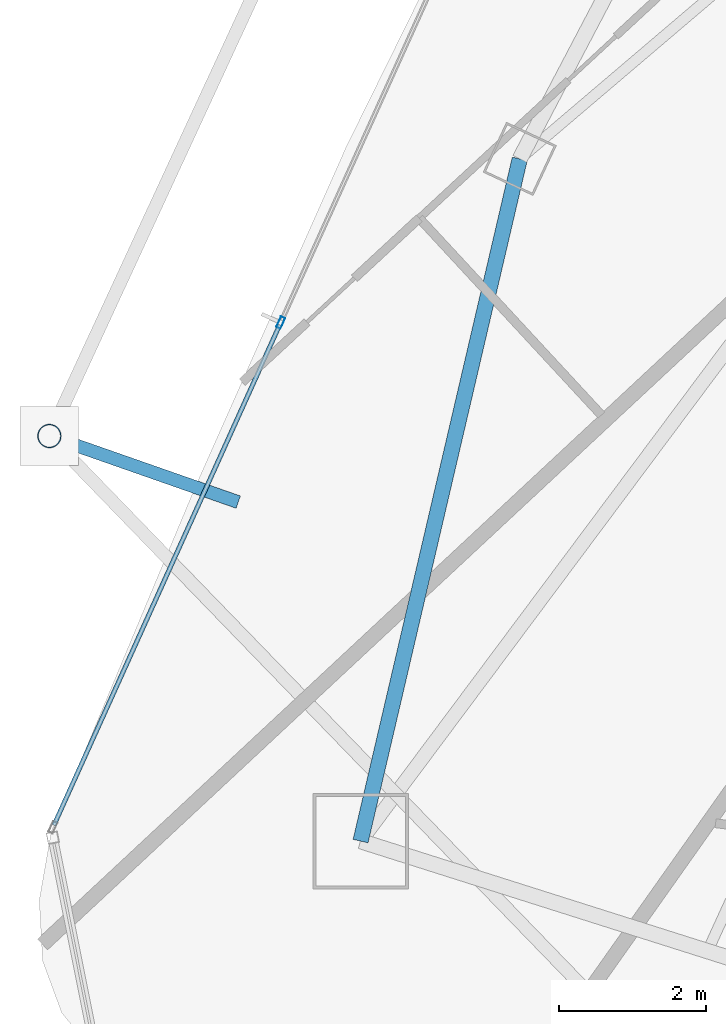
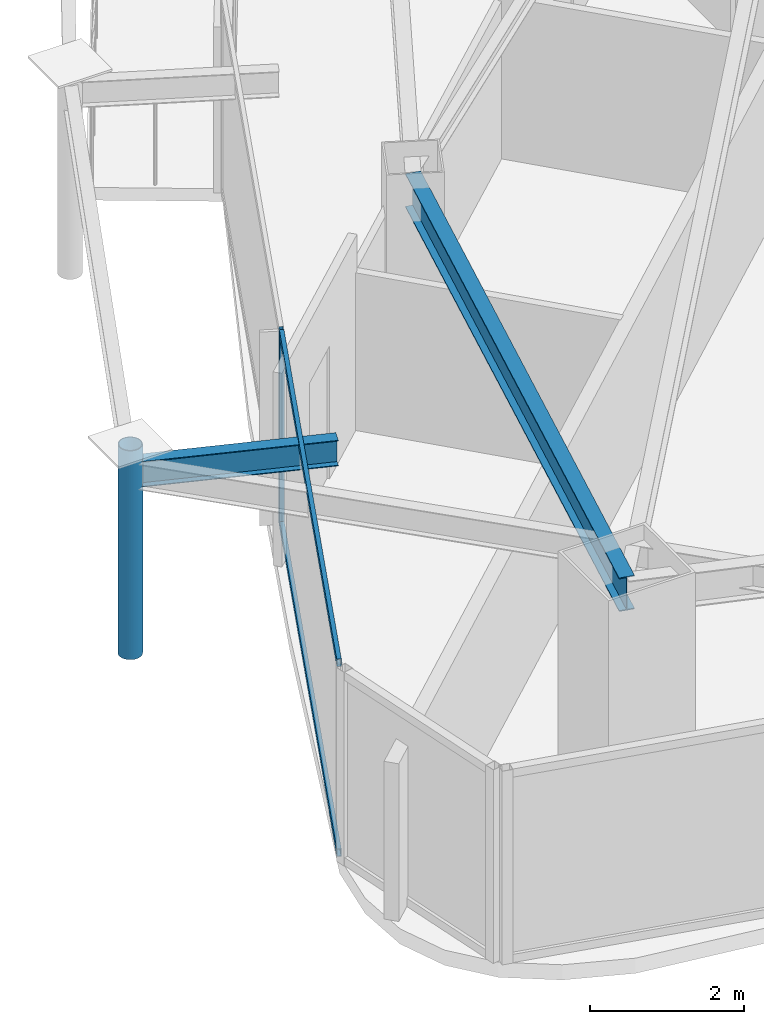
# One storey, part 5 of 32: 4 members, 2 beams, 1 element without a shape of its own.
"""IFC4 building model written with IfcOpenShell, lengths in metres."""

from ifc_helpers import new_model, si_unit, direction, frame, origin, origin_2d, place, context, subcontext, project, spatial, hollow_rectangle, hollow_circle, i_section, extrude, material, layer, layer_set, material_profile, profile_set, type_object, element, aggregate, save


model = new_model("IFC4")

# Units and contexts
model_context = context("Model", 3, precision=1e-05, world=origin(), true_north=direction((0.0, 1.0)))
body_context = subcontext(model_context, "Body", "Model", "MODEL_VIEW")
ifc_project = project(units=[si_unit("LENGTHUNIT", "METRE"), si_unit("AREAUNIT", "SQUARE_METRE"), si_unit("VOLUMEUNIT", "CUBIC_METRE"), si_unit("PLANEANGLEUNIT", "RADIAN"), si_unit("MASSUNIT", "GRAM", prefix="KILO")], contexts=[model_context])

# Site, building, storey
site_placement = place(None, origin())
site = spatial("IfcSite", under=ifc_project, at=site_placement, CompositionType="ELEMENT")
building_placement = place(site_placement, origin())
building = spatial("IfcBuilding", under=site, at=building_placement, Name="Orvanel Arch Residences", CompositionType="ELEMENT")
storey_placement = place(building_placement, frame((0.0, 0.0, 222.800048828125)))
storey = spatial("IfcBuildingStorey", under=building, at=storey_placement, Name="L63", CompositionType="ELEMENT", Elevation=222.800048828125)

# Curtain wall, member
ifc_material_1 = material(Name="Bronze-anodised aluminium AA6063-T6", Category="aluminium")
ifc_layer = layer(ifc_material_1, 0.175048828125)
ifc_layer_set = layer_set([ifc_layer], Name="Bronze-anodised aluminium AA6063-T6")
curtain_wall_type = type_object("IfcCurtainWallType", Name="CW4-HI-SYS", PredefinedType="NOTDEFINED", material=ifc_layer_set)
curtain_wall_placement = place(storey_placement, origin())
curtain_wall = element("IfcCurtainWall", 1, at=curtain_wall_placement, inside=storey, type_object=curtain_wall_type, Name="L63 CW4-HI-SYS Unitised Curtain Wall", PredefinedType="NOTDEFINED")
ifc_material_profile_1 = material_profile(ifc_material_1, hollow_rectangle(XDim=0.06494140625, YDim=0.159912109375, WallThickness=0.00390625, at=origin_2d()), Name="ALU160x65x4")
ifc_profile_set_1 = profile_set([ifc_material_profile_1], Name="Bronze-anodised aluminium AA6063-T6")
member_type_1 = type_object("IfcMemberType", Name="MUL-160x65", PredefinedType="MULLION", material=ifc_profile_set_1)
member_1_placement = place(storey_placement, frame((13.111572265625, 17.41259765625, 0.0), z_axis=(0.0, 0.0, 1.0), x_axis=(0.911480004164, -0.411344383709, 0.0)))
member_1 = element("IfcMember", 2, at=member_1_placement, type_object=member_type_1, Name="CW-S4 mullion 2", PredefinedType="MULLION", context=body_context, shape_type="SweptSolid", body=[
    extrude(hollow_rectangle(XDim=0.06494140625, YDim=0.159912109375, WallThickness=0.00390625, at=origin_2d()), origin(), (0.0, 0.0, 1.0), 3.06005859375),
])

# Beams
ifc_material_2 = material(Name="Structural steel AS/NZS 3679.1 Grade 300 (300 MPa)", Category="steel")
ifc_material_profile_2 = material_profile(ifc_material_2, i_section(OverallWidth=0.177978515625, OverallDepth=0.406005859375, WebThickness=0.0078125, FlangeThickness=0.0126953125, at=origin_2d()), Name="410UB59.7")
ifc_profile_set_2 = profile_set([ifc_material_profile_2], Name="Structural steel AS/NZS 3679.1 Grade 300 (300 MPa)")
beam_type_1 = type_object("IfcBeamType", Name="OB-410UB-EXT", PredefinedType="SPANDREL", material=ifc_profile_set_2)
beam_1_placement = place(storey_placement, frame((12.532958984375, 14.968017578125, 2.85693359375), z_axis=(-0.943893271561, 0.330250650116, 0.0), x_axis=(-0.330250650116, -0.943893271561, 0.0)))
element("IfcBeam", 3, at=beam_1_placement, inside=storey, type_object=beam_type_1, Name="L63 Outer Frame Radial Tie Beam 04", PredefinedType="SPANDREL", context=body_context, shape_type="SweptSolid", body=[
    extrude(i_section(OverallWidth=0.177978515625, OverallDepth=0.406005859375, WebThickness=0.0078125, FlangeThickness=0.0126953125, at=origin_2d()), origin(), (0.0, 0.0, 1.0), 2.724853515625),
])
ifc_material_profile_3 = material_profile(ifc_material_2, i_section(OverallWidth=0.208984375, OverallDepth=0.532958984375, WebThickness=0.01025390625, FlangeThickness=0.015625, at=origin_2d()), Name="530UB92.4")
ifc_profile_set_3 = profile_set([ifc_material_profile_3], Name="Structural steel AS/NZS 3679.1 Grade 300 (300 MPa)")
beam_type_2 = type_object("IfcBeamType", Name="SP-530UB", PredefinedType="SPANDREL", material=ifc_profile_set_3)
beam_2_placement = place(storey_placement, frame((16.366943359375, 19.64208984375, 2.7939453125), z_axis=(-0.227236087167, -0.973839699688, 0.0), x_axis=(0.973839699688, -0.227236087167, 0.0)))
element("IfcBeam", 4, at=beam_2_placement, inside=storey, type_object=beam_type_2, Name="L63 Perimeter Spandrel Beam 01", PredefinedType="SPANDREL", context=body_context, shape_type="SweptSolid", body=[
    extrude(i_section(OverallWidth=0.208984375, OverallDepth=0.532958984375, WebThickness=0.01025390625, FlangeThickness=0.015625, at=origin_2d()), origin(), (0.0, 0.0, 1.0), 9.54052734375),
])

# Member
ifc_material_3 = material(Name="Structural steel AS/NZS 1163 C350L0 (Grade 350)", Category="steel")
ifc_material_profile_4 = material_profile(ifc_material_3, hollow_circle(Radius=0.162109375, WallThickness=0.0126953125, at=origin_2d()), Name="CHS324x12.7")
ifc_profile_set_4 = profile_set([ifc_material_profile_4], Name="Structural steel AS/NZS 1163 C350L0 (Grade 350)")
member_type_2 = type_object("IfcMemberType", Name="ST-324CHS-EXT", PredefinedType="STRUT", material=ifc_profile_set_4)
member_2_placement = place(storey_placement, frame((9.9609375, 15.867919921875, 0.0), z_axis=(0.0, 0.0, 1.0), x_axis=(1.0, 0.0, 0.0)))
element("IfcMember", 5, at=member_2_placement, inside=storey, type_object=member_type_2, Name="L63 Outer Perimeter Frame Post 04", PredefinedType="STRUT", context=body_context, shape_type="SweptSolid", body=[
    extrude(hollow_circle(Radius=0.162109375, WallThickness=0.0126953125, at=origin_2d()), origin(), (0.0, 0.0, 1.0), 3.300048828125),
])

ifc_material_profile_5 = material_profile(ifc_material_1, hollow_rectangle(XDim=0.06005859375, YDim=0.1201171875, WallThickness=0.00341796875, at=origin_2d()), Name="ALU120x60x3.5")
ifc_profile_set_5 = profile_set([ifc_material_profile_5], Name="Bronze-anodised aluminium AA6063-T6")
member_type_3 = type_object("IfcMemberType", Name="TRN-120x60", PredefinedType="USERDEFINED", material=ifc_profile_set_5)
member_3_placement = place(storey_placement, frame((13.09814453125, 17.3828125, 0.030029296875), z_axis=(-0.411358348457, -0.911473701845, 0.0), x_axis=(0.911473701845, -0.411358348457, 0.0)))
member_3 = element("IfcMember", 6, at=member_3_placement, type_object=member_type_3, Name="CW-S4 transom 2.1", ObjectType="TRANSOM", PredefinedType="USERDEFINED", context=body_context, shape_type="SweptSolid", body=[
    extrude(hollow_rectangle(XDim=0.06005859375, YDim=0.1201171875, WallThickness=0.00341796875, at=origin_2d()), origin(), (0.0, 0.0, 1.0), 7.476318359375),
])

member_4_placement = place(storey_placement, frame((13.09814453125, 17.3828125, 3.030029296875), z_axis=(-0.411358348457, -0.911473701845, 0.0), x_axis=(0.911473701845, -0.411358348457, 0.0)))
member_4 = element("IfcMember", 7, at=member_4_placement, type_object=member_type_3, Name="CW-S4 transom 2.2", ObjectType="TRANSOM", PredefinedType="USERDEFINED", context=body_context, shape_type="SweptSolid", body=[
    extrude(hollow_rectangle(XDim=0.06005859375, YDim=0.1201171875, WallThickness=0.00341796875, at=origin_2d()), origin(), (0.0, 0.0, 1.0), 7.476318359375),
])

aggregate(curtain_wall, [member_1, member_3, member_4])

save(model, "model.ifc")
